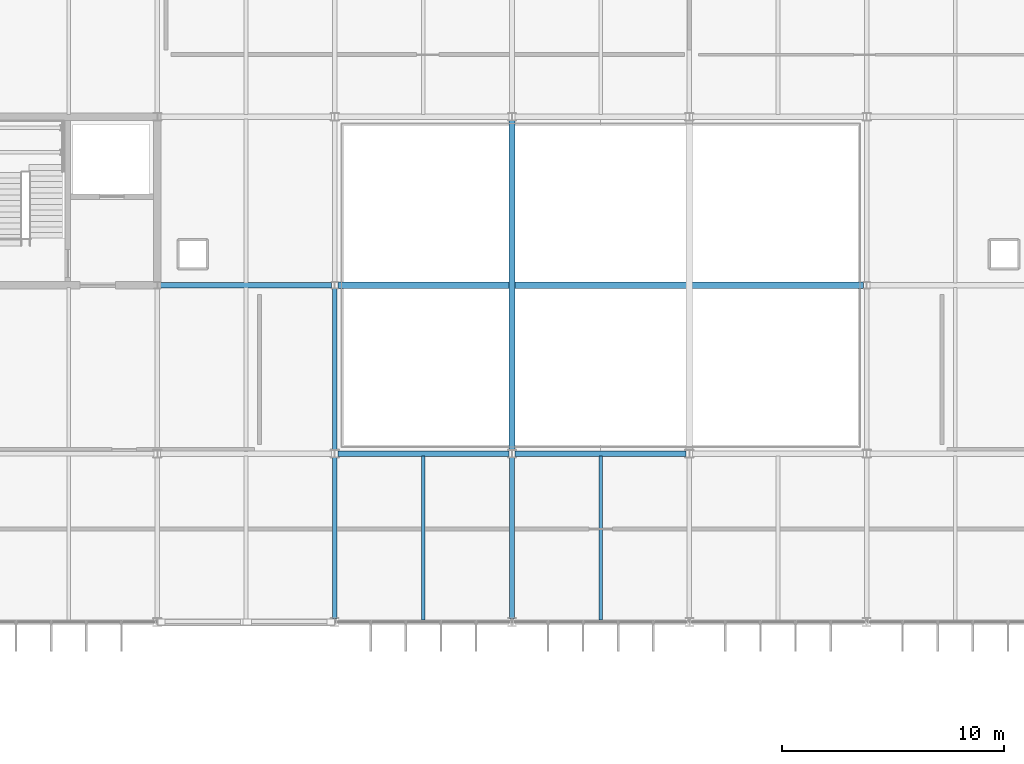
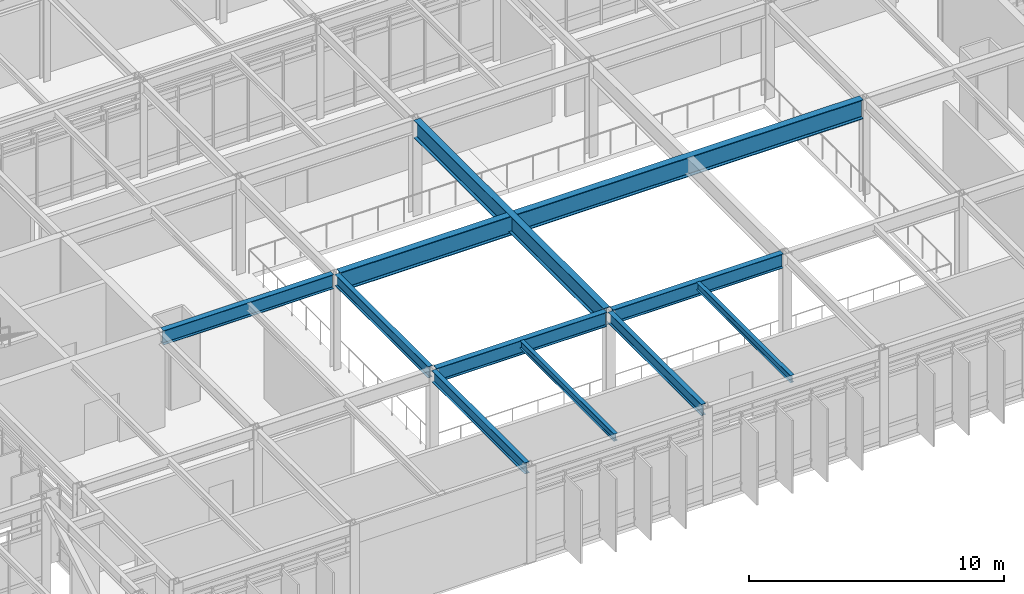
# One storey, part 39 of 104: 10 beams.
"""IFC4 building model written with IfcOpenShell, lengths in metres."""

import ifcopenshell
import ifcopenshell.guid

model = None  # the IFC model being written
_history = None  # IfcOwnerHistory: only IFC2X3 demands one
_inside = {}  # id of a spatial element -> (the spatial element, [elements in it])
_under = {}  # id of a project, library or spatial element -> (it, [spatial elements below it])
_declared = {}  # id of a project -> (the project, [libraries it declares])
_typed = {}  # id of a type object -> (the type object, [elements of that type])
_made_of = {}  # id of a material, layer set ... -> (it, [elements and type objects made of it])


def new_model(schema):
    """Start an empty IFC model of exactly this schema.

    Asked for "IFC4X3", IfcOpenShell would pick the latest addendum, in which some entities
    have other attributes; the version numbers below select the first issue.
    IFC2X3 requires an IfcOwnerHistory on every rooted entity: one is made here for all.
    """
    global model, _history
    if schema == "IFC4X3":
        model = ifcopenshell.file(schema_version=(4, 3, 0, 0))
    else:
        model = ifcopenshell.file(schema=schema)
    _inside.clear()
    _under.clear()
    _declared.clear()
    _typed.clear()
    _made_of.clear()
    _history = None
    if model.schema == "IFC2X3":
        org = make("IfcOrganization", Name="unknown")
        user = make(
            "IfcPersonAndOrganization",
            ThePerson=make("IfcPerson", FamilyName="unknown"),
            TheOrganization=org,
        )
        app = make(
            "IfcApplication",
            ApplicationDeveloper=org,
            Version="unknown",
            ApplicationFullName="unknown",
            ApplicationIdentifier="unknown",
        )
        _history = make(
            "IfcOwnerHistory",
            OwningUser=user,
            OwningApplication=app,
            ChangeAction="ADDED",
            CreationDate=0,
        )
    return model


def make(cls, **values):
    """One entity of the class cls with the attributes given. An attribute that is None is left unset."""
    return model.create_entity(
        cls, **{name: value for name, value in values.items() if value is not None}
    )


def rooted(cls, **values):
    """An entity with a GlobalId (a new one), such as an element, a storey or a relation."""
    return make(cls, GlobalId=ifcopenshell.guid.new(), OwnerHistory=_history, **values)


def si_unit(unit_type, name, prefix=None):
    """IfcSIUnit, for example si_unit("LENGTHUNIT", "METRE", prefix="MILLI")."""
    return make("IfcSIUnit", UnitType=unit_type, Prefix=prefix, Name=name)


def assignment(units):
    """IfcUnitAssignment: the units of a project."""
    return None if units is None else make("IfcUnitAssignment", Units=units)


def point(xyz):
    """IfcCartesianPoint."""
    return None if xyz is None else make("IfcCartesianPoint", Coordinates=xyz)


def direction(xyz):
    """IfcDirection."""
    return None if xyz is None else make("IfcDirection", DirectionRatios=xyz)


def frame(location, z_axis=None, x_axis=None):
    """IfcAxis2Placement3D, a coordinate frame: its origin and axes. An axis left out is left unset."""
    return make(
        "IfcAxis2Placement3D",
        Location=point(location),
        Axis=direction(z_axis),
        RefDirection=direction(x_axis),
    )


def frame_2d(location, x_axis=None):
    """IfcAxis2Placement2D, a coordinate frame in the plane: its origin and x axis."""
    return make(
        "IfcAxis2Placement2D", Location=point(location), RefDirection=direction(x_axis)
    )


def origin():
    """The frame at (0, 0, 0) with its axes left unset."""
    return frame((0.0, 0.0, 0.0))


def origin_2d():
    """The frame at (0, 0) in the plane with its x axis left unset."""
    return frame_2d((0.0, 0.0))


def place(relative_to, where):
    """IfcLocalPlacement: puts the frame where relative to a parent placement (None: the world)."""
    return make(
        "IfcLocalPlacement", PlacementRelTo=relative_to, RelativePlacement=where
    )


def context(
    kind, dimensions, precision=None, world=None, true_north=None, identifier=None
):
    """IfcGeometricRepresentationContext, for example the 3D "Model" context."""
    return make(
        "IfcGeometricRepresentationContext",
        ContextIdentifier=identifier,
        ContextType=kind,
        CoordinateSpaceDimension=dimensions,
        Precision=precision,
        WorldCoordinateSystem=world,
        TrueNorth=true_north,
    )


def subcontext(parent, identifier, kind, view, scale=None):
    """IfcGeometricRepresentationSubContext, for example "Body" below "Model"."""
    return make(
        "IfcGeometricRepresentationSubContext",
        ContextIdentifier=identifier,
        ContextType=kind,
        ParentContext=parent,
        TargetScale=scale,
        TargetView=view,
    )


def project(units=None, contexts=None):
    """IfcProject with its units and contexts."""
    return rooted(
        "IfcProject",
        Name="project",
        RepresentationContexts=contexts,
        UnitsInContext=assignment(units),
    )


def spatial(cls, under=None, at=None, **own):
    """A site, building, storey or space (cls), placed at a placement, below another one or the project."""
    s = rooted(cls, ObjectPlacement=at, **own)
    if under is not None:
        _under.setdefault(under.id(), (under, []))[1].append(s)
    return s


def profile(cls, at=None, kind="AREA", **sizes):
    """A parametric profile (cls). Its sizes go by their IFC names, for example OverallWidth=200.0."""
    return make(cls, ProfileType=kind, Position=at, **sizes)


def i_section(**sizes):
    """IfcIShapeProfileDef."""
    return profile("IfcIShapeProfileDef", **sizes)


def extrude(swept, where, along, depth):
    """IfcExtrudedAreaSolid: the profile swept, set in the frame where, extruded along a direction by depth."""
    return make(
        "IfcExtrudedAreaSolid",
        SweptArea=swept,
        Position=where,
        ExtrudedDirection=direction(along),
        Depth=depth,
    )


def shape(context_of_items, identifier, shape_type, items):
    """IfcShapeRepresentation: the items that make up one representation, for example the "Body"."""
    return make(
        "IfcShapeRepresentation",
        ContextOfItems=context_of_items,
        RepresentationIdentifier=identifier,
        RepresentationType=shape_type,
        Items=items,
    )


def material(Name=None, Category=None):
    """IfcMaterial."""
    return make("IfcMaterial", Name=Name, Category=Category)


def material_profile(
    of_material, cross_section, Name=None, Category=None, Priority=None
):
    """IfcMaterialProfile: a cross section and its material."""
    return make(
        "IfcMaterialProfile",
        Name=Name,
        Material=of_material,
        Profile=cross_section,
        Priority=Priority,
        Category=Category,
    )


def profile_set(profiles, Name=None, composite=None):
    """IfcMaterialProfileSet."""
    return make(
        "IfcMaterialProfileSet",
        Name=Name,
        MaterialProfiles=profiles,
        CompositeProfile=composite,
    )


def made_of(thing, what):
    """Note that an element or type object is made of a material, layer set ...; save() writes the relation."""
    if what is not None:
        _made_of.setdefault(what.id(), (what, []))[1].append(thing)
    return thing


def type_object(cls, material=None, **own):
    """A type object (cls), such as IfcWallType, which elements share."""
    return made_of(rooted(cls, **own), material)


def element(
    cls,
    number,
    at=None,
    inside=None,
    cuts=None,
    type_object=None,
    material=None,
    context=None,
    identifier="Body",
    shape_type=None,
    held_by="IfcProductDefinitionShape",
    body=None,
    shapes=None,
    **own,
):
    """One element of the class cls, such as IfcWall. Its Tag is "e" and its number.

    at: its placement. inside: the storey or other place that contains it. cuts: it is an
    opening in that element (IfcRelVoidsElement). A single representation is given by context,
    identifier, shape_type and body (its items); several are given by shapes. held_by: the class
    of the entity that holds the representations. save() writes the other relations.
    """
    e = rooted(cls, Tag="e%d" % number, ObjectPlacement=at, **own)
    if body is not None:
        shapes = [shape(context, identifier, shape_type, body)]
    if shapes is not None:
        e.Representation = make(held_by, Representations=shapes)
    if inside is not None:
        _inside.setdefault(inside.id(), (inside, []))[1].append(e)
    if cuts is not None:
        rooted(
            "IfcRelVoidsElement", RelatingBuildingElement=cuts, RelatedOpeningElement=e
        )
    if type_object is not None:
        _typed.setdefault(type_object.id(), (type_object, []))[1].append(e)
    return made_of(e, material)


def aggregate(whole, parts):
    """IfcRelAggregates: a whole, such as a stair, and the parts it consists of."""
    return rooted("IfcRelAggregates", RelatingObject=whole, RelatedObjects=parts)


def save(model, path):
    """Write the relations noted so far, then the file.

    IfcRelAggregates (storeys below a building ...), IfcRelContainedInSpatialStructure (elements
    in a storey), IfcRelDefinesByType, IfcRelAssociatesMaterial and IfcRelDeclares: one each for
    every whole, place, type object, material and project.
    """
    for whole, parts in _under.values():
        aggregate(whole, parts)
    for where, things in _inside.values():
        rooted(
            "IfcRelContainedInSpatialStructure",
            RelatedElements=things,
            RelatingStructure=where,
        )
    for kind, things in _typed.values():
        rooted("IfcRelDefinesByType", RelatedObjects=things, RelatingType=kind)
    for what, things in _made_of.values():
        rooted("IfcRelAssociatesMaterial", RelatedObjects=things, RelatingMaterial=what)
    for by, libraries in _declared.values():
        rooted("IfcRelDeclares", RelatingContext=by, RelatedDefinitions=libraries)
    model.write(path)


model = new_model("IFC4")

# Units and contexts
model_context = context("Model", 3, precision=1e-05, world=origin(), true_north=direction((0.0, 1.0)))
body_context = subcontext(model_context, "Body", "Model", "MODEL_VIEW")
ifc_project = project(units=[si_unit("LENGTHUNIT", "METRE"), si_unit("AREAUNIT", "SQUARE_METRE"), si_unit("VOLUMEUNIT", "CUBIC_METRE"), si_unit("PLANEANGLEUNIT", "RADIAN"), si_unit("MASSUNIT", "GRAM", prefix="KILO")], contexts=[model_context])

# Site, building, storey
site_placement = place(None, origin())
site = spatial("IfcSite", under=ifc_project, at=site_placement, CompositionType="ELEMENT")
building_placement = place(site_placement, origin())
building = spatial("IfcBuilding", under=site, at=building_placement, Name="Zulena Civic Courthouse", CompositionType="ELEMENT")
storey_placement = place(building_placement, frame((0.0, 0.0, 15.60009765625)))
storey = spatial("IfcBuildingStorey", under=building, at=storey_placement, Name="L03", CompositionType="ELEMENT", Elevation=15.60009765625)

# Beams
ifc_material = material(Name="Steel ASTM A992 Grade 50", Category="steel")
ifc_material_profile_1 = material_profile(ifc_material, i_section(OverallWidth=0.2099609375, OverallDepth=0.537109375, WebThickness=0.010986328125, FlangeThickness=0.017333984375, FilletRadius=0.0126953125, at=origin_2d()), Name="W21X68")
ifc_profile_set_1 = profile_set([ifc_material_profile_1], Name="Steel ASTM A992 Grade 50")
beam_type_1 = type_object("IfcBeamType", Name="Girder_W21X68", PredefinedType="BEAM", material=ifc_profile_set_1)
beam_1_placement = place(storey_placement, frame((84.0, 22.945068359375, 4.3212890625), z_axis=(0.0, 1.0, 0.0), x_axis=(-1.0, 0.0, 0.0)))
element("IfcBeam", 1, at=beam_1_placement, inside=storey, type_object=beam_type_1, Name="beam:Y:V4:L03:84.0:22.8_30.4", PredefinedType="BEAM", context=body_context, shape_type="SweptSolid", body=[
    extrude(i_section(OverallWidth=0.2099609375, OverallDepth=0.537109375, WebThickness=0.010986328125, FlangeThickness=0.017333984375, FilletRadius=0.0126953125, at=origin_2d()), origin(), (0.0, 0.0, 1.0), 7.309814453125),
])
ifc_material_profile_2 = material_profile(ifc_material, i_section(OverallWidth=0.25390625, OverallDepth=0.68798828125, WebThickness=0.01318359375, FlangeThickness=0.02099609375, FilletRadius=0.0166015625, at=origin_2d()), Name="W27X102")
ifc_profile_set_2 = profile_set([ifc_material_profile_2], Name="Steel ASTM A992 Grade 50")
beam_type_2 = type_object("IfcBeamType", Name="Girder_W27X102", PredefinedType="BEAM", material=ifc_profile_set_2)
for number, where, z_axis, x_axis, name in (
    (2, (84.14501953125, 22.800048828125, 4.245849609375), (1.0, 0.0, 0.0), (0.0, 1.0, 0.0), "beam:X:V4:L03:22.8:84.0_92.0"),
    (3, (92.14501953125, 22.800048828125, 4.245849609375), (1.0, 0.0, 0.0), (0.0, 1.0, 0.0), "beam:X:V4:L03:22.8:92.0_100.0"),
    (4, (76.14501953125, 30.39990234375, 4.245849609375), (1.0, 0.0, 0.0), (0.0, 1.0, 0.0), "beam:X:V4:L03:30.4:76.0_84.0"),
):
    element("IfcBeam", number, at=place(storey_placement, frame(where, z_axis=z_axis, x_axis=x_axis)), inside=storey, type_object=beam_type_2, Name=name, PredefinedType="BEAM", context=body_context, shape_type="SweptSolid", body=[
        extrude(i_section(OverallWidth=0.25390625, OverallDepth=0.68798828125, WebThickness=0.01318359375, FlangeThickness=0.02099609375, FilletRadius=0.0166015625, at=origin_2d()), origin(), (0.0, 0.0, 1.0), 7.7099609375),
    ])
ifc_material_profile_3 = material_profile(ifc_material, i_section(OverallWidth=0.2919921875, OverallDepth=0.841064453125, WebThickness=0.0146484375, FlangeThickness=0.021728515625, FilletRadius=0.017822265625, at=origin_2d()), Name="W33X130")
ifc_profile_set_3 = profile_set([ifc_material_profile_3], Name="Steel ASTM A992 Grade 50")
beam_type_3 = type_object("IfcBeamType", Name="Girder_W33X130", PredefinedType="BEAM", material=ifc_profile_set_3)
beam_2_placement = place(storey_placement, frame((92.0, 22.945068359375, 4.16943359375), z_axis=(0.0, 1.0, 0.0), x_axis=(-1.0, 0.0, 0.0)))
element("IfcBeam", 5, at=beam_2_placement, inside=storey, type_object=beam_type_3, Name="beam:Y:V4:L03:92.0:22.8_38.0", PredefinedType="BEAM", context=body_context, shape_type="SweptSolid", body=[
    extrude(i_section(OverallWidth=0.2919921875, OverallDepth=0.841064453125, WebThickness=0.0146484375, FlangeThickness=0.021728515625, FilletRadius=0.017822265625, at=origin_2d()), origin(), (0.0, 0.0, 1.0), 14.909912109375),
])
ifc_material_profile_4 = material_profile(ifc_material, i_section(OverallWidth=0.306884765625, OverallDepth=0.927001953125, WebThickness=0.019287109375, FlangeThickness=0.031982421875, FilletRadius=0.01904296875, at=origin_2d()), Name="W36X194")
ifc_profile_set_4 = profile_set([ifc_material_profile_4], Name="Steel ASTM A992 Grade 50")
beam_type_4 = type_object("IfcBeamType", Name="Girder_W36X194", PredefinedType="BEAM", material=ifc_profile_set_4)
beam_3_placement = place(storey_placement, frame((84.14501953125, 30.39990234375, 4.12646484375), z_axis=(1.0, 0.0, 0.0), x_axis=(0.0, 1.0, 0.0)))
element("IfcBeam", 6, at=beam_3_placement, inside=storey, type_object=beam_type_4, Name="beam:X:V4:L03:30.4:84.0_108.0", PredefinedType="BEAM", context=body_context, shape_type="SweptSolid", body=[
    extrude(i_section(OverallWidth=0.306884765625, OverallDepth=0.927001953125, WebThickness=0.019287109375, FlangeThickness=0.031982421875, FilletRadius=0.01904296875, at=origin_2d()), origin(), (0.0, 0.0, 1.0), 23.7099609375),
])
ifc_material_profile_5 = material_profile(ifc_material, i_section(OverallWidth=0.1708984375, OverallDepth=0.35205078125, WebThickness=0.0068359375, FlangeThickness=0.009765625, FilletRadius=0.01025390625, at=origin_2d()), Name="W14X30")
ifc_profile_set_5 = profile_set([ifc_material_profile_5], Name="Steel ASTM A992 Grade 50")
beam_type_5 = type_object("IfcBeamType", Name="Joist_W14X30", PredefinedType="JOIST", material=ifc_profile_set_5)
for number, where, z_axis, x_axis, name in (
    (7, (88.0, 15.304931640625, 4.413818359375), (0.0, 1.0, 0.0), (-1.0, 0.0, 0.0), "joist:V4:L03:88.00:15.2_22.8"),
    (8, (96.0, 15.304931640625, 4.413818359375), (0.0, 1.0, 0.0), (-1.0, 0.0, 0.0), "joist:V4:L03:96.00:15.2_22.8"),
):
    element("IfcBeam", number, at=place(storey_placement, frame(where, z_axis=z_axis, x_axis=x_axis)), inside=storey, type_object=beam_type_5, Name=name, PredefinedType="JOIST", context=body_context, shape_type="SweptSolid", body=[
        extrude(i_section(OverallWidth=0.1708984375, OverallDepth=0.35205078125, WebThickness=0.0068359375, FlangeThickness=0.009765625, FilletRadius=0.01025390625, at=origin_2d()), origin(), (0.0, 0.0, 1.0), 7.39013671875),
    ])
ifc_material_profile_6 = material_profile(ifc_material, i_section(OverallWidth=0.2099609375, OverallDepth=0.537109375, WebThickness=0.010986328125, FlangeThickness=0.017333984375, FilletRadius=0.0126953125, at=origin_2d()), Name="W21X68")
ifc_profile_set_6 = profile_set([ifc_material_profile_6], Name="Steel ASTM A992 Grade 50")
beam_type_6 = type_object("IfcBeamType", Name="Spandrel_W21X68", PredefinedType="SPANDREL", material=ifc_profile_set_6)
for number, where, z_axis, x_axis, name in (
    (9, (84.0, 15.344970703125, 4.3212890625), (0.0, 1.0, 0.0), (-1.0, 0.0, 0.0), "beam:Y:V4:L03:84.0:15.2_22.8"),
    (10, (92.0, 15.344970703125, 4.3212890625), (0.0, 1.0, 0.0), (-1.0, 0.0, 0.0), "beam:Y:V4:L03:92.0:15.2_22.8"),
):
    element("IfcBeam", number, at=place(storey_placement, frame(where, z_axis=z_axis, x_axis=x_axis)), inside=storey, type_object=beam_type_6, Name=name, PredefinedType="SPANDREL", context=body_context, shape_type="SweptSolid", body=[
        extrude(i_section(OverallWidth=0.2099609375, OverallDepth=0.537109375, WebThickness=0.010986328125, FlangeThickness=0.017333984375, FilletRadius=0.0126953125, at=origin_2d()), origin(), (0.0, 0.0, 1.0), 7.31005859375),
    ])

save(model, "model.ifc")
